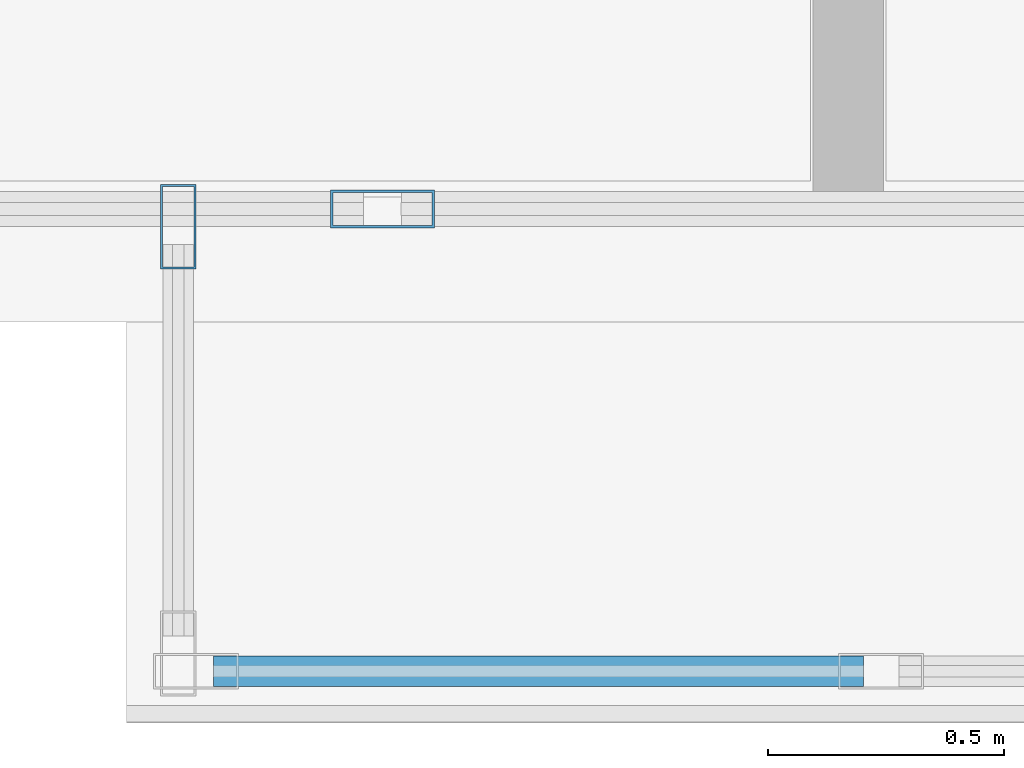
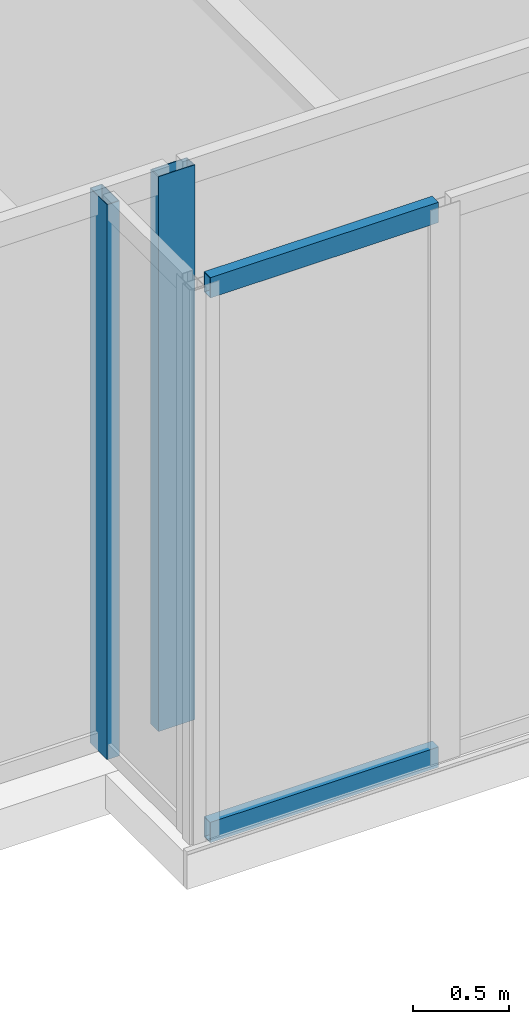
# One storey, part 5 of 26: 4 members, 3 elements without a shape of their own.
"""IFC4 building model written with IfcOpenShell, lengths in metres."""

from ifc_helpers import new_model, si_unit, direction, frame, origin, origin_with_axes, origin_2d, place, context, subcontext, project, spatial, hollow_rectangle, extrude, source, transform, mapped, material, layer, layer_set, material_profile, profile_set, type_object, element, aggregate, save


model = new_model("IFC4")

# Units and contexts
model_context = context("Model", 3, precision=1e-05, world=origin(), true_north=direction((0.0, 1.0)))
body_context = subcontext(model_context, "Body", "Model", "MODEL_VIEW")
ifc_project = project(units=[si_unit("LENGTHUNIT", "METRE"), si_unit("AREAUNIT", "SQUARE_METRE"), si_unit("VOLUMEUNIT", "CUBIC_METRE"), si_unit("PLANEANGLEUNIT", "RADIAN"), si_unit("MASSUNIT", "GRAM", prefix="KILO")], contexts=[model_context])

# Site, building, storey
site_placement = place(None, origin())
site = spatial("IfcSite", under=ifc_project, at=site_placement, CompositionType="ELEMENT")
building_placement = place(site_placement, origin())
building = spatial("IfcBuilding", under=site, at=building_placement, Name="Kolvaren Waterfront Exchange", CompositionType="ELEMENT")
storey_placement = place(building_placement, frame((0.0, 0.0, 99.300048828125)))
storey = spatial("IfcBuildingStorey", under=building, at=storey_placement, Name="L25", CompositionType="ELEMENT", Elevation=99.300048828125)

# Curtain wall, member
ifc_material_1 = material(Name="Anodised bronze aluminium 6063-T6", Category="aluminium")
ifc_layer_1 = layer(ifc_material_1, 0.219970703125, Name="Anodised bronze aluminium 6063-T6")
ifc_layer_set_1 = layer_set([ifc_layer_1], Name="Anodised bronze aluminium 6063-T6")
curtain_wall_type_1 = type_object("IfcCurtainWallType", Name="ARC-CW-SYS3", PredefinedType="USERDEFINED", material=ifc_layer_set_1)
curtain_wall_1_placement = place(storey_placement, origin())
curtain_wall_1 = element("IfcCurtainWall", 1, at=curtain_wall_1_placement, inside=storey, type_object=curtain_wall_type_1, Name="L25 stick curtain wall CW3 (CW-L25-BOX-W)", ObjectType="STICK CURTAIN WALL", PredefinedType="USERDEFINED")
ifc_material_profile_1 = material_profile(ifc_material_1, hollow_rectangle(XDim=0.074951171875, YDim=0.179931640625, WallThickness=0.00439453125, at=origin_2d()), Name="ALU-MUL-180x75x4.5")
ifc_profile_set_1 = profile_set([ifc_material_profile_1], Name="Anodised bronze aluminium 6063-T6")
member_type_1 = type_object("IfcMemberType", Name="ARC-CWM-180", PredefinedType="MULLION", material=ifc_profile_set_1)
shared_shape_1 = source(origin_with_axes(), body_context, "Body", "SweptSolid", [
    extrude(hollow_rectangle(XDim=0.074951171875, YDim=0.179931640625, WallThickness=0.00439453125, at=origin_2d()), origin(), (0.0, 0.0, 1.0), 3.5400390625),
])
member_1_placement = place(storey_placement, frame((32.409912109375, 3.802490234375, 0.0), z_axis=(0.0, 0.0, 1.0), x_axis=(1.0, 0.0, 0.0)))
member_1 = element("IfcMember", 2, at=member_1_placement, type_object=member_type_1, Name="CW3 mullion 1", PredefinedType="MULLION", context=body_context, shape_type="MappedRepresentation", body=[
    mapped(shared_shape_1, transform((0.0, 0.0, 0.0), x_axis=(1.0, 0.0, 0.0), y_axis=(0.0, 1.0, 0.0), z_axis=(0.0, 0.0, 1.0), scale=1.0)),
])
aggregate(curtain_wall_1, [member_1])

# Curtain wall, members
curtain_wall_2_placement = place(storey_placement, origin())
curtain_wall_2 = element("IfcCurtainWall", 3, at=curtain_wall_2_placement, inside=storey, type_object=curtain_wall_type_1, Name="L25 stick curtain wall CW3 (CW-L25-BOX)", ObjectType="STICK CURTAIN WALL", PredefinedType="USERDEFINED")
ifc_material_profile_2 = material_profile(ifc_material_1, hollow_rectangle(XDim=0.06494140625, YDim=0.1298828125, WallThickness=0.00390625, at=origin_2d()), Name="ALU-TRN-130x65x4")
ifc_profile_set_2 = profile_set([ifc_material_profile_2], Name="Anodised bronze aluminium 6063-T6")
member_type_2 = type_object("IfcMemberType", Name="ARC-CWT-130", PredefinedType="USERDEFINED", material=ifc_profile_set_2)
shared_shape_2 = source(origin_with_axes(), body_context, "Body", "SweptSolid", [
    extrude(hollow_rectangle(XDim=0.06494140625, YDim=0.1298828125, WallThickness=0.00390625, at=origin_2d()), origin(), (0.0, 0.0, 1.0), 1.37744140625),
])
member_2_placement = place(storey_placement, frame((32.485107421875, 2.860107421875, 0.032470703125), z_axis=(1.0, 0.0, 0.0), x_axis=(0.0, 1.0, 0.0)))
member_2 = element("IfcMember", 4, at=member_2_placement, type_object=member_type_2, Name="CW3 transom 1.1", ObjectType="TRANSOM", PredefinedType="USERDEFINED", context=body_context, shape_type="MappedRepresentation", body=[
    mapped(shared_shape_2, transform((0.0, 0.0, 0.0), x_axis=(1.0, 0.0, 0.0), y_axis=(0.0, 1.0, 0.0), z_axis=(0.0, 0.0, 1.0), scale=1.0)),
])
member_3_placement = place(storey_placement, frame((32.485107421875, 2.860107421875, 3.507568359375), z_axis=(1.0, 0.0, 0.0), x_axis=(0.0, 1.0, 0.0)))
member_3 = element("IfcMember", 5, at=member_3_placement, type_object=member_type_2, Name="CW3 transom 1.2", ObjectType="TRANSOM", PredefinedType="USERDEFINED", context=body_context, shape_type="MappedRepresentation", body=[
    mapped(shared_shape_2, transform((0.0, 0.0, 0.0), x_axis=(1.0, 0.0, 0.0), y_axis=(0.0, 1.0, 0.0), z_axis=(0.0, 0.0, 1.0), scale=1.0)),
])
aggregate(curtain_wall_2, [member_2, member_3])

# Curtain wall, member
ifc_layer_2 = layer(ifc_material_1, 0.219970703125, Name="Anodised bronze aluminium 6063-T6")
ifc_layer_set_2 = layer_set([ifc_layer_2], Name="Anodised bronze aluminium 6063-T6")
curtain_wall_type_2 = type_object("IfcCurtainWallType", Name="ARC-CW-SYS1", PredefinedType="USERDEFINED", material=ifc_layer_set_2)
curtain_wall_3_placement = place(storey_placement, origin())
curtain_wall_3 = element("IfcCurtainWall", 6, at=curtain_wall_3_placement, inside=storey, type_object=curtain_wall_type_2, Name="L25 stick curtain wall CW1 (CW-L25-S)", ObjectType="STICK CURTAIN WALL", PredefinedType="USERDEFINED")
ifc_material_2 = material(Name="Anodised aluminium 6063-T6", Category="aluminium")
ifc_material_profile_3 = material_profile(ifc_material_2, hollow_rectangle(XDim=0.080078125, YDim=0.219970703125, WallThickness=0.0048828125, at=origin_2d()), Name="ALU-MUL-220x80x5")
ifc_profile_set_3 = profile_set([ifc_material_profile_3], Name="Anodised aluminium 6063-T6")
member_type_3 = type_object("IfcMemberType", Name="ARC-CWM-220", PredefinedType="MULLION", material=ifc_profile_set_3)
shared_shape_3 = source(origin_with_axes(), body_context, "Body", "SweptSolid", [
    extrude(hollow_rectangle(XDim=0.080078125, YDim=0.219970703125, WallThickness=0.0048828125, at=origin_2d()), origin(), (0.0, 0.0, 1.0), 3.5400390625),
])
member_4_placement = place(storey_placement, frame((32.8427734375, 3.840087890625, 0.0), z_axis=(0.0, 0.0, 1.0), x_axis=(0.0, 1.0, 0.0)))
member_4 = element("IfcMember", 7, at=member_4_placement, type_object=member_type_3, Name="CW1 mullion 5", PredefinedType="MULLION", context=body_context, shape_type="MappedRepresentation", body=[
    mapped(shared_shape_3, transform((0.0, 0.0, 0.0), x_axis=(1.0, 0.0, 0.0), y_axis=(0.0, 1.0, 0.0), z_axis=(0.0, 0.0, 1.0), scale=1.0)),
])
aggregate(curtain_wall_3, [member_4])

save(model, "model.ifc")
